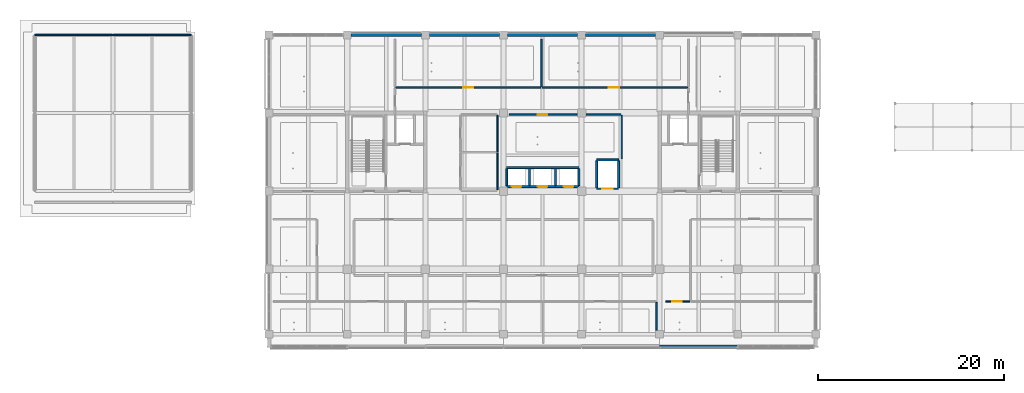
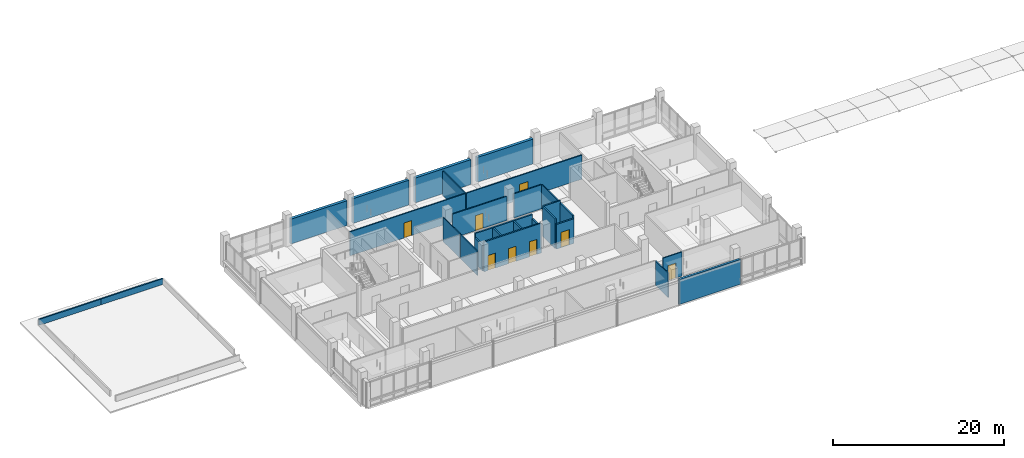
# One storey, part 13 of 39: 27 walls, 8 doors, 8 openings.
"""IFC4 building model written with IfcOpenShell, lengths in metres."""

from ifc_helpers import new_model, si_unit, direction, frame, frame_2d, origin, place, context, subcontext, project, spatial, rectangle, extrude, material, layer, layer_set, type_object, element, fill, save


model = new_model("IFC4")

# Units and contexts
model_context = context("Model", 3, precision=1e-05, world=origin(), true_north=direction((0.0, 1.0)))
body_context = subcontext(model_context, "Body", "Model", "MODEL_VIEW")
ifc_project = project(units=[si_unit("LENGTHUNIT", "METRE"), si_unit("AREAUNIT", "SQUARE_METRE"), si_unit("VOLUMEUNIT", "CUBIC_METRE"), si_unit("PLANEANGLEUNIT", "RADIAN"), si_unit("MASSUNIT", "GRAM", prefix="KILO")], contexts=[model_context])

# Site, building, storey
site_placement = place(None, origin())
site = spatial("IfcSite", under=ifc_project, at=site_placement, CompositionType="ELEMENT")
building_placement = place(site_placement, origin())
building = spatial("IfcBuilding", under=site, at=building_placement, Name="Telukmera Botanical Conservatory", CompositionType="ELEMENT")
storey_placement = place(building_placement, frame((0.0, 0.0, 19.5)))
storey = spatial("IfcBuildingStorey", under=building, at=storey_placement, Name="L04", CompositionType="ELEMENT", Elevation=19.5)

# Walls
ifc_material_1 = material(Name="Terracotta-faced precast concrete C40/50", Category="masonry")
ifc_layer_1 = layer(ifc_material_1, 0.3798828125)
ifc_layer_set_1 = layer_set([ifc_layer_1], Name="Terracotta-faced precast concrete C40/50")
wall_type_1 = type_object("IfcWallType", Name="Exterior Herbarium Vault Insulated Precast Wall 380", PredefinedType="SOLIDWALL", material=ifc_layer_set_1)
wall_1_placement = place(storey_placement, frame((59.22705078125, 42.800048828125, 0.0), z_axis=(0.0, 0.0, 1.0), x_axis=(1.0, 0.0, 0.0)))
element("IfcWall", 1, at=wall_1_placement, inside=storey, type_object=wall_type_1, Name="Exterior Precast Wall EW04 V4:L04:N2", PredefinedType="SOLIDWALL", context=body_context, shape_type="SweptSolid", body=[
    extrude(rectangle(XDim=7.5458984375, YDim=0.3798828125, at=frame_2d((3.77294921875, 0.0))), origin(), (0.0, 0.0, 1.0), 3.550048828125),
])
wall_2_placement = place(storey_placement, frame((67.626953125, 42.800048828125, 0.0), z_axis=(0.0, 0.0, 1.0), x_axis=(1.0, 0.0, 0.0)))
element("IfcWall", 2, at=wall_2_placement, inside=storey, type_object=wall_type_1, Name="Exterior Precast Wall EW04 V4:L04:N3", PredefinedType="SOLIDWALL", context=body_context, shape_type="SweptSolid", body=[
    extrude(rectangle(XDim=7.546142578125, YDim=0.3798828125, at=frame_2d((3.77294921875, 0.0))), origin(), (0.0, 0.0, 1.0), 3.550048828125),
])
for number, where, z_axis, x_axis, name in (
    (3, (76.027099609375, 42.800048828125, 0.0), (0.0, 0.0, 1.0), (1.0, 0.0, 0.0), "Exterior Precast Wall EW04 V4:L04:N4"),
    (4, (84.427001953125, 42.800048828125, 0.0), (0.0, 0.0, 1.0), (1.0, 0.0, 0.0), "Exterior Precast Wall EW04 V4:L04:N5"),
):
    element("IfcWall", number, at=place(storey_placement, frame(where, z_axis=z_axis, x_axis=x_axis)), inside=storey, type_object=wall_type_1, Name=name, PredefinedType="SOLIDWALL", context=body_context, shape_type="SweptSolid", body=[
        extrude(rectangle(XDim=7.5458984375, YDim=0.3798828125, at=frame_2d((3.77294921875, 0.0))), origin(), (0.0, 0.0, 1.0), 3.550048828125),
    ])
ifc_layer_2 = layer(ifc_material_1, 0.300048828125)
ifc_layer_set_2 = layer_set([ifc_layer_2], Name="Terracotta-faced precast concrete C40/50")
wall_type_2 = type_object("IfcWallType", Name="Exterior Polychrome Terracotta Precast Wall 300", PredefinedType="SOLIDWALL", material=ifc_layer_set_2)
wall_3_placement = place(storey_placement, frame((92.402099609375, 9.320068359375, 0.0), z_axis=(0.0, 0.0, 1.0), x_axis=(1.0, 0.0, 0.0)))
element("IfcWall", 5, at=wall_3_placement, inside=storey, type_object=wall_type_2, Name="Exterior Precast Wall EW02 V4:L04:S6", PredefinedType="SOLIDWALL", context=body_context, shape_type="SweptSolid", body=[
    extrude(rectangle(XDim=8.39599609375, YDim=0.300048828125, at=frame_2d((4.197998046875, 0.0))), origin(), (0.0, 0.0, 1.0), 3.550048828125),
])
ifc_layer_3 = layer(ifc_material_1, 0.179931640625)
ifc_layer_set_3 = layer_set([ifc_layer_3], Name="Terracotta-faced precast concrete C40/50")
wall_type_3 = type_object("IfcWallType", Name="Postmodern Polychrome Podium Parapet Wall 180", PredefinedType="PARAPET", material=ifc_layer_set_3)
for number, where, z_axis, x_axis, name in (
    (6, (25.201904296875, 42.800048828125, 0.2099609375), (0.0, 0.0, 1.0), (1.0, 0.0, 0.0), "Stepped Roof Parapet PW02 V3:L04:N 1"),
    (7, (33.60205078125, 42.800048828125, 0.2099609375), (0.0, 0.0, 1.0), (1.0, 0.0, 0.0), "Stepped Roof Parapet PW02 V3:L04:N 2"),
):
    element("IfcWall", number, at=place(storey_placement, frame(where, z_axis=z_axis, x_axis=x_axis)), inside=storey, type_object=wall_type_3, Name=name, PredefinedType="PARAPET", context=body_context, shape_type="SweptSolid", body=[
        extrude(rectangle(XDim=8.39599609375, YDim=0.179931640625, at=frame_2d((4.197998046875, 0.0))), origin(), (0.0, 0.0, 1.0), 0.840087890625),
    ])

# Wall, openings, doors
ifc_material_2 = material(Name="Concrete C40/50", Category="concrete")
ifc_layer_4 = layer(ifc_material_2, 0.199951171875)
ifc_layer_set_4 = layer_set([ifc_layer_4], Name="Concrete C40/50")
wall_type_4 = type_object("IfcWallType", Name="WT-CORE-200", PredefinedType="SOLIDWALL", material=ifc_layer_set_4)
wall_4_placement = place(storey_placement, frame((75.949951171875, 26.47998046875, 0.0), z_axis=(0.0, 0.0, 1.0), x_axis=(1.0, 0.0, 0.0)))
wall_4 = element("IfcWall", 8, at=wall_4_placement, inside=storey, type_object=wall_type_4, Name="L04 Passenger Lift Bank Front Wall", PredefinedType="SOLIDWALL", context=body_context, shape_type="SweptSolid", body=[
    extrude(rectangle(XDim=7.77001953125, YDim=0.199951171875, at=frame_2d((3.885009765625, 0.0))), origin(), (0.0, 0.0, 1.0), 4.25),
])
opening_1_placement = place(wall_4_placement, frame((0.550048828125, 0.0, 0.0)))
opening_1 = element("IfcOpeningElement", 9, at=opening_1_placement, cuts=wall_4, Name="Opening LD03", PredefinedType="OPENING", context=body_context, shape_type="SweptSolid", body=[
    extrude(rectangle(XDim=1.0, YDim=2.14990234375, at=frame_2d((0.5, 1.074951171875))), frame((0.0, 0.10986328125, 0.0), z_axis=(0.0, -1.0, 0.0), x_axis=(1.0, 0.0, 0.0)), (0.0, 0.0, 1.0), 0.219970703125),
])
opening_2_placement = place(wall_4_placement, frame((3.35009765625, 0.0, 0.0)))
opening_2 = element("IfcOpeningElement", 10, at=opening_2_placement, cuts=wall_4, Name="Opening LD03", PredefinedType="OPENING", context=body_context, shape_type="SweptSolid", body=[
    extrude(rectangle(XDim=1.0, YDim=2.14990234375, at=frame_2d((0.5, 1.074951171875))), frame((0.0, 0.10986328125, 0.0), z_axis=(0.0, -1.0, 0.0), x_axis=(1.0, 0.0, 0.0)), (0.0, 0.0, 1.0), 0.219970703125),
])
opening_3_placement = place(wall_4_placement, frame((6.14990234375, 0.0, 0.0)))
opening_3 = element("IfcOpeningElement", 11, at=opening_3_placement, cuts=wall_4, Name="Opening LD03", PredefinedType="OPENING", context=body_context, shape_type="SweptSolid", body=[
    extrude(rectangle(XDim=1.0, YDim=2.14990234375, at=frame_2d((0.5, 1.074951171875))), frame((0.0, 0.10986328125, 0.0), z_axis=(0.0, -1.0, 0.0), x_axis=(1.0, 0.0, 0.0)), (0.0, 0.0, 1.0), 0.219970703125),
])
ifc_material_3 = material(Name="Stainless steel 316", Category="steel")
door_type_1 = type_object("IfcDoorType", Name="DT-LD03", OperationType="SLIDING_TO_LEFT", PredefinedType="DOOR", material=ifc_material_3)
door_1_placement = place(opening_1_placement, frame((1.0, 0.0, 0.0), z_axis=(0.0, 0.0, 1.0), x_axis=(-1.0, 0.0, 0.0)))
door_1 = element("IfcDoor", 12, at=door_1_placement, inside=storey, type_object=door_type_1, Name="L04 Lift Landing Door PL1", OperationType="SLIDING_TO_LEFT", OverallHeight=2.14990234375, OverallWidth=1.0, PredefinedType="DOOR", context=body_context, shape_type="SweptSolid", body=[
    extrude(rectangle(XDim=1.0, YDim=2.14990234375, at=frame_2d((0.5, 1.074951171875))), frame((0.0, 0.02490234375, 0.0), z_axis=(0.0, -1.0, 0.0), x_axis=(1.0, 0.0, 0.0)), (0.0, 0.0, 1.0), 0.050048828125),
])
fill(opening_1, door_1)
door_2_placement = place(opening_2_placement, frame((1.0, 0.0, 0.0), z_axis=(0.0, 0.0, 1.0), x_axis=(-1.0, 0.0, 0.0)))
door_2 = element("IfcDoor", 13, at=door_2_placement, inside=storey, type_object=door_type_1, Name="L04 Lift Landing Door PL2", OperationType="SLIDING_TO_LEFT", OverallHeight=2.14990234375, OverallWidth=1.0, PredefinedType="DOOR", context=body_context, shape_type="SweptSolid", body=[
    extrude(rectangle(XDim=1.0, YDim=2.14990234375, at=frame_2d((0.5, 1.074951171875))), frame((0.0, 0.02490234375, 0.0), z_axis=(0.0, -1.0, 0.0), x_axis=(1.0, 0.0, 0.0)), (0.0, 0.0, 1.0), 0.050048828125),
])
fill(opening_2, door_2)
door_3_placement = place(opening_3_placement, frame((1.0, 0.0, 0.0), z_axis=(0.0, 0.0, 1.0), x_axis=(-1.0, 0.0, 0.0)))
door_3 = element("IfcDoor", 14, at=door_3_placement, inside=storey, type_object=door_type_1, Name="L04 Lift Landing Door PL3", OperationType="SLIDING_TO_LEFT", OverallHeight=2.14990234375, OverallWidth=1.0, PredefinedType="DOOR", context=body_context, shape_type="SweptSolid", body=[
    extrude(rectangle(XDim=1.0, YDim=2.14990234375, at=frame_2d((0.5, 1.074951171875))), frame((0.0, 0.02490234375, 0.0), z_axis=(0.0, -1.0, 0.0), x_axis=(1.0, 0.0, 0.0)), (0.0, 0.0, 1.0), 0.050048828125),
])
fill(opening_3, door_3)

# Walls
wall_5_placement = place(storey_placement, frame((75.949951171875, 28.52001953125, 0.0), z_axis=(0.0, 0.0, 1.0), x_axis=(1.0, 0.0, 0.0)))
element("IfcWall", 15, at=wall_5_placement, inside=storey, type_object=wall_type_4, Name="L04 Passenger Lift Bank Rear Wall", PredefinedType="SOLIDWALL", context=body_context, shape_type="SweptSolid", body=[
    extrude(rectangle(XDim=7.77001953125, YDim=0.199951171875, at=frame_2d((3.885009765625, 0.0))), origin(), (0.0, 0.0, 1.0), 4.25),
])
wall_6_placement = place(storey_placement, frame((75.949951171875, 26.580078125, 0.0), z_axis=(0.0, 0.0, 1.0), x_axis=(0.0, 1.0, 0.0)))
element("IfcWall", 16, at=wall_6_placement, inside=storey, type_object=wall_type_4, Name="L04 Passenger Lift Shaft Wall 1", PredefinedType="SOLIDWALL", context=body_context, shape_type="SweptSolid", body=[
    extrude(rectangle(XDim=1.83984375, YDim=0.199951171875, at=frame_2d((0.919921875, 0.0))), origin(), (0.0, 0.0, 1.0), 3.679931640625),
])
for number, where, z_axis, x_axis, name in (
    (17, (78.39990234375, 26.580078125, 0.0), (0.0, 0.0, 1.0), (0.0, 1.0, 0.0), "L04 Passenger Lift Shaft Wall 2"),
    (18, (81.199951171875, 26.580078125, 0.0), (0.0, 0.0, 1.0), (0.0, 1.0, 0.0), "L04 Passenger Lift Shaft Wall 3"),
):
    element("IfcWall", number, at=place(storey_placement, frame(where, z_axis=z_axis, x_axis=x_axis)), inside=storey, type_object=wall_type_4, Name=name, PredefinedType="SOLIDWALL", context=body_context, shape_type="SweptSolid", body=[
        extrude(rectangle(XDim=1.83984375, YDim=0.199951171875, at=frame_2d((0.919921875, 0.0))), origin(), (0.0, 0.0, 1.0), 4.25),
    ])
wall_7_placement = place(storey_placement, frame((83.719970703125, 26.580078125, 0.0), z_axis=(0.0, 0.0, 1.0), x_axis=(0.0, 1.0, 0.0)))
element("IfcWall", 19, at=wall_7_placement, inside=storey, type_object=wall_type_4, Name="L04 Passenger Lift Shaft Wall 4", PredefinedType="SOLIDWALL", context=body_context, shape_type="SweptSolid", body=[
    extrude(rectangle(XDim=1.83984375, YDim=0.199951171875, at=frame_2d((0.919921875, 0.0))), origin(), (0.0, 0.0, 1.0), 3.679931640625),
])

# Wall, opening, door
wall_8_placement = place(storey_placement, frame((85.6201171875, 26.25, 0.0), z_axis=(0.0, 0.0, 1.0), x_axis=(1.0, 0.0, 0.0)))
wall_8 = element("IfcWall", 20, at=wall_8_placement, inside=storey, type_object=wall_type_4, Name="L04 Goods Lift GL1 Front Wall", PredefinedType="SOLIDWALL", context=body_context, shape_type="SweptSolid", body=[
    extrude(rectangle(XDim=2.35986328125, YDim=0.199951171875, at=frame_2d((1.179931640625, 0.0))), origin(), (0.0, 0.0, 1.0), 3.530029296875),
])
opening_4_placement = place(wall_8_placement, frame((0.60498046875, 0.0, 0.0)))
opening_4 = element("IfcOpeningElement", 21, at=opening_4_placement, cuts=wall_8, Name="Opening LD02", PredefinedType="OPENING", context=body_context, shape_type="SweptSolid", body=[
    extrude(rectangle(XDim=1.14990234375, YDim=2.199951171875, at=frame_2d((0.574951171875, 1.10009765625))), frame((0.0, 0.10986328125, 0.0), z_axis=(0.0, -1.0, 0.0), x_axis=(1.0, 0.0, 0.0)), (0.0, 0.0, 1.0), 0.219970703125),
])
door_type_2 = type_object("IfcDoorType", Name="DT-LD02", OperationType="SLIDING_TO_LEFT", PredefinedType="DOOR", material=ifc_material_3)
door_4_placement = place(opening_4_placement, frame((1.14990234375, 0.0, 0.0), z_axis=(0.0, 0.0, 1.0), x_axis=(-1.0, 0.0, 0.0)))
door_4 = element("IfcDoor", 22, at=door_4_placement, inside=storey, type_object=door_type_2, Name="L04 Lift Landing Door GL1", OperationType="SLIDING_TO_LEFT", OverallHeight=2.199951171875, OverallWidth=1.14990234375, PredefinedType="DOOR", context=body_context, shape_type="SweptSolid", body=[
    extrude(rectangle(XDim=1.14990234375, YDim=2.199951171875, at=frame_2d((0.574951171875, 1.10009765625))), frame((0.0, 0.02490234375, 0.0), z_axis=(0.0, -1.0, 0.0), x_axis=(1.0, 0.0, 0.0)), (0.0, 0.0, 1.0), 0.050048828125),
])
fill(opening_4, door_4)

# Walls
wall_9_placement = place(storey_placement, frame((85.6201171875, 29.35009765625, 0.0), z_axis=(0.0, 0.0, 1.0), x_axis=(1.0, 0.0, 0.0)))
element("IfcWall", 23, at=wall_9_placement, inside=storey, type_object=wall_type_4, Name="L04 Goods Lift GL1 Rear Wall", PredefinedType="SOLIDWALL", context=body_context, shape_type="SweptSolid", body=[
    extrude(rectangle(XDim=2.35986328125, YDim=0.199951171875, at=frame_2d((1.179931640625, 0.0))), origin(), (0.0, 0.0, 1.0), 4.25),
])
wall_10_placement = place(storey_placement, frame((85.6201171875, 26.35009765625, 0.0), z_axis=(0.0, 0.0, 1.0), x_axis=(0.0, 1.0, 0.0)))
element("IfcWall", 24, at=wall_10_placement, inside=storey, type_object=wall_type_4, Name="L04 Goods Lift GL1 Side Wall 1", PredefinedType="SOLIDWALL", context=body_context, shape_type="SweptSolid", body=[
    extrude(rectangle(XDim=2.89990234375, YDim=0.199951171875, at=frame_2d((1.449951171875, 0.0))), origin(), (0.0, 0.0, 1.0), 4.25),
])
wall_11_placement = place(storey_placement, frame((87.97998046875, 26.35009765625, 0.0), z_axis=(0.0, 0.0, 1.0), x_axis=(0.0, 1.0, 0.0)))
element("IfcWall", 25, at=wall_11_placement, inside=storey, type_object=wall_type_4, Name="L04 Goods Lift GL1 Side Wall 2", PredefinedType="SOLIDWALL", context=body_context, shape_type="SweptSolid", body=[
    extrude(rectangle(XDim=2.89990234375, YDim=0.199951171875, at=frame_2d((1.449951171875, 0.0))), origin(), (0.0, 0.0, 1.0), 3.929931640625),
])

# Wall, opening, door
ifc_material_4 = material(Name="Gypsum acoustic stud partition")
ifc_layer_5 = layer(ifc_material_4, 0.159912109375)
ifc_layer_set_5 = layer_set([ifc_layer_5], Name="Gypsum acoustic stud partition")
wall_type_5 = type_object("IfcWallType", Name="WT-LAB-160", PredefinedType="PARTITIONING", material=ifc_layer_set_5)
wall_12_placement = place(storey_placement, frame((79.75, 37.125, 0.0), z_axis=(0.0, 0.0, 1.0), x_axis=(1.0, 0.0, 0.0)))
wall_12 = element("IfcWall", 26, at=wall_12_placement, inside=storey, type_object=wall_type_5, Name="L04 Interior Partition 29", PredefinedType="PARTITIONING", context=body_context, shape_type="SweptSolid", body=[
    extrude(rectangle(XDim=15.64990234375, YDim=0.159912109375, at=frame_2d((7.824951171875, 0.0))), origin(), (0.0, 0.0, 1.0), 3.449951171875),
])
opening_5_placement = place(wall_12_placement, frame((7.1796875, 0.0, 0.0)))
opening_5 = element("IfcOpeningElement", 27, at=opening_5_placement, cuts=wall_12, Name="Opening ID10", PredefinedType="OPENING", context=body_context, shape_type="SweptSolid", body=[
    extrude(rectangle(XDim=1.139892578125, YDim=2.219970703125, at=frame_2d((0.56982421875, 1.10986328125))), frame((0.0, 0.08984375, 0.0), z_axis=(0.0, -1.0, 0.0), x_axis=(1.0, 0.0, 0.0)), (0.0, 0.0, 1.0), 0.179931640625),
])
ifc_material_5 = material(Name="Sealed steel herbarium door", Category="steel")
door_type_3 = type_object("IfcDoorType", Name="DT-HERB-114", OperationType="NOTDEFINED", PredefinedType="DOOR", material=ifc_material_5)
door_5_placement = place(opening_5_placement, origin())
door_5 = element("IfcDoor", 28, at=door_5_placement, inside=storey, type_object=door_type_3, Name="L04 Botanical Illustration Archive Door", OperationType="SINGLE_SWING_RIGHT", OverallHeight=2.219970703125, OverallWidth=1.139892578125, PredefinedType="DOOR", context=body_context, shape_type="SweptSolid", body=[
    extrude(rectangle(XDim=1.139892578125, YDim=2.219970703125, at=frame_2d((0.56982421875, 1.10986328125))), frame((0.0, 0.02490234375, 0.0), z_axis=(0.0, -1.0, 0.0), x_axis=(1.0, 0.0, 0.0)), (0.0, 0.0, 1.0), 0.050048828125),
])
fill(opening_5, door_5)

# Walls
wall_13_placement = place(storey_placement, frame((79.675048828125, 37.215087890625, 0.0), z_axis=(0.0, 0.0, 1.0), x_axis=(0.0, 1.0, 0.0)))
element("IfcWall", 29, at=wall_13_placement, inside=storey, type_object=wall_type_5, Name="L04 Interior Partition 32", PredefinedType="PARTITIONING", context=body_context, shape_type="SweptSolid", body=[
    extrude(rectangle(XDim=5.135009765625, YDim=0.159912109375, at=frame_2d((2.5673828125, 0.0))), origin(), (0.0, 0.0, 1.0), 3.449951171875),
])
ifc_layer_6 = layer(ifc_material_4, 0.14990234375)
ifc_layer_set_6 = layer_set([ifc_layer_6], Name="Gypsum acoustic stud partition")
wall_type_6 = type_object("IfcWallType", Name="WT-STD-150", PredefinedType="PARTITIONING", material=ifc_layer_set_6)
wall_14_placement = place(storey_placement, frame((88.324951171875, 29.449951171875, 0.0), z_axis=(0.0, 0.0, 1.0), x_axis=(0.0, 1.0, 0.0)))
element("IfcWall", 30, at=wall_14_placement, inside=storey, type_object=wall_type_6, Name="L04 Interior Partition 06", PredefinedType="PARTITIONING", context=body_context, shape_type="SweptSolid", body=[
    extrude(rectangle(XDim=4.699951171875, YDim=0.14990234375, at=frame_2d((2.35009765625, 0.0))), origin(), (0.0, 0.0, 1.0), 3.449951171875),
])

# Wall, opening, door
wall_15_placement = place(storey_placement, frame((76.199951171875, 34.22509765625, 0.0), z_axis=(0.0, 0.0, 1.0), x_axis=(1.0, 0.0, 0.0)))
wall_15 = element("IfcWall", 31, at=wall_15_placement, inside=storey, type_object=wall_type_6, Name="L04 Interior Partition 07", PredefinedType="PARTITIONING", context=body_context, shape_type="SweptSolid", body=[
    extrude(rectangle(XDim=7.320068359375, YDim=0.14990234375, at=frame_2d((3.66015625, 0.0))), origin(), (0.0, 0.0, 1.0), 3.449951171875),
])
opening_6_placement = place(wall_15_placement, frame((3.06591796875, 0.0, 0.0)))
opening_6 = element("IfcOpeningElement", 32, at=opening_6_placement, cuts=wall_15, Name="Opening ID13", PredefinedType="OPENING", context=body_context, shape_type="SweptSolid", body=[
    extrude(rectangle(XDim=1.0400390625, YDim=2.14990234375, at=frame_2d((0.52001953125, 1.074951171875))), frame((0.0, 0.0849609375, 0.0), z_axis=(0.0, -1.0, 0.0), x_axis=(1.0, 0.0, 0.0)), (0.0, 0.0, 1.0), 0.169921875),
])
ifc_material_6 = material(Name="Hardwood curation studio door", Category="wood")
door_type_4 = type_object("IfcDoorType", Name="DT-CUR-104", OperationType="NOTDEFINED", PredefinedType="DOOR", material=ifc_material_6)
door_6_placement = place(opening_6_placement, frame((1.0400390625, 0.0, 0.0), z_axis=(0.0, 0.0, 1.0), x_axis=(-1.0, 0.0, 0.0)))
door_6 = element("IfcDoor", 33, at=door_6_placement, inside=storey, type_object=door_type_4, Name="L04 Specimen Mounting Studio Door", OperationType="SINGLE_SWING_LEFT", OverallHeight=2.14990234375, OverallWidth=1.0400390625, PredefinedType="DOOR", context=body_context, shape_type="SweptSolid", body=[
    extrude(rectangle(XDim=1.0400390625, YDim=2.14990234375, at=frame_2d((0.52001953125, 1.074951171875))), frame((0.0, 0.02490234375, 0.0), z_axis=(0.0, -1.0, 0.0), x_axis=(1.0, 0.0, 0.0)), (0.0, 0.0, 1.0), 0.050048828125),
])
fill(opening_6, door_6)

# Wall
wall_16_placement = place(storey_placement, frame((84.47998046875, 34.22509765625, 0.0), z_axis=(0.0, 0.0, 1.0), x_axis=(1.0, 0.0, 0.0)))
element("IfcWall", 34, at=wall_16_placement, inside=storey, type_object=wall_type_6, Name="L04 Interior Partition 08", PredefinedType="PARTITIONING", context=body_context, shape_type="SweptSolid", body=[
    extrude(rectangle(XDim=3.760009765625, YDim=0.14990234375, at=frame_2d((1.8798828125, 0.0))), origin(), (0.0, 0.0, 1.0), 3.449951171875),
])

# Wall, opening, door
wall_17_placement = place(storey_placement, frame((93.050048828125, 14.125, 0.0), z_axis=(0.0, 0.0, 1.0), x_axis=(1.0, 0.0, 0.0)))
wall_17 = element("IfcWall", 35, at=wall_17_placement, inside=storey, type_object=wall_type_6, Name="L04 Interior Partition 18", PredefinedType="PARTITIONING", context=body_context, shape_type="SweptSolid", body=[
    extrude(rectangle(XDim=2.58984375, YDim=0.14990234375, at=frame_2d((1.294921875, 0.0))), origin(), (0.0, 0.0, 1.0), 3.449951171875),
])
opening_7_placement = place(wall_17_placement, frame((0.699951171875, 0.0, 0.0)))
opening_7 = element("IfcOpeningElement", 36, at=opening_7_placement, cuts=wall_17, Name="Opening ID13", PredefinedType="OPENING", context=body_context, shape_type="SweptSolid", body=[
    extrude(rectangle(XDim=1.0400390625, YDim=2.14990234375, at=frame_2d((0.52001953125, 1.074951171875))), frame((0.0, 0.0849609375, 0.0), z_axis=(0.0, -1.0, 0.0), x_axis=(1.0, 0.0, 0.0)), (0.0, 0.0, 1.0), 0.169921875),
])
door_7_placement = place(opening_7_placement, frame((1.0400390625, 0.0, 0.0), z_axis=(0.0, 0.0, 1.0), x_axis=(-1.0, 0.0, 0.0)))
door_7 = element("IfcDoor", 37, at=door_7_placement, inside=storey, type_object=door_type_4, Name="L04 Botanical Taxonomy Studio Door", OperationType="SINGLE_SWING_LEFT", OverallHeight=2.14990234375, OverallWidth=1.0400390625, PredefinedType="DOOR", context=body_context, shape_type="SweptSolid", body=[
    extrude(rectangle(XDim=1.0400390625, YDim=2.14990234375, at=frame_2d((0.52001953125, 1.074951171875))), frame((0.0, 0.02490234375, 0.0), z_axis=(0.0, -1.0, 0.0), x_axis=(1.0, 0.0, 0.0)), (0.0, 0.0, 1.0), 0.050048828125),
])
fill(opening_7, door_7)

# Wall
wall_18_placement = place(storey_placement, frame((92.074951171875, 11.054931640625, 0.0), z_axis=(0.0, 0.0, 1.0), x_axis=(0.0, 1.0, 0.0)))
element("IfcWall", 38, at=wall_18_placement, inside=storey, type_object=wall_type_6, Name="L04 Interior Partition 26", PredefinedType="PARTITIONING", context=body_context, shape_type="SweptSolid", body=[
    extrude(rectangle(XDim=2.985107421875, YDim=0.14990234375, at=frame_2d((1.49267578125, 0.0))), origin(), (0.0, 0.0, 1.0), 3.449951171875),
])

# Wall, opening, door
wall_19_placement = place(storey_placement, frame((64.010009765625, 37.125, 0.0), z_axis=(0.0, 0.0, 1.0), x_axis=(1.0, 0.0, 0.0)))
wall_19 = element("IfcWall", 39, at=wall_19_placement, inside=storey, type_object=wall_type_6, Name="L04 Interior Partition 28", PredefinedType="PARTITIONING", context=body_context, shape_type="SweptSolid", body=[
    extrude(rectangle(XDim=15.590087890625, YDim=0.14990234375, at=frame_2d((7.794921875, 0.0))), origin(), (0.0, 0.0, 1.0), 3.449951171875),
])
opening_8_placement = place(wall_19_placement, frame((7.27490234375, 0.0, 0.0)))
opening_8 = element("IfcOpeningElement", 40, at=opening_8_placement, cuts=wall_19, Name="Opening ID13", PredefinedType="OPENING", context=body_context, shape_type="SweptSolid", body=[
    extrude(rectangle(XDim=1.0400390625, YDim=2.14990234375, at=frame_2d((0.52001953125, 1.074951171875))), frame((0.0, 0.0849609375, 0.0), z_axis=(0.0, -1.0, 0.0), x_axis=(1.0, 0.0, 0.0)), (0.0, 0.0, 1.0), 0.169921875),
])
door_8_placement = place(opening_8_placement, origin())
door_8 = element("IfcDoor", 41, at=door_8_placement, inside=storey, type_object=door_type_4, Name="L04 Angiosperm Systematics Studio Door", OperationType="SINGLE_SWING_LEFT", OverallHeight=2.14990234375, OverallWidth=1.0400390625, PredefinedType="DOOR", context=body_context, shape_type="SweptSolid", body=[
    extrude(rectangle(XDim=1.0400390625, YDim=2.14990234375, at=frame_2d((0.52001953125, 1.074951171875))), frame((0.0, 0.02490234375, 0.0), z_axis=(0.0, -1.0, 0.0), x_axis=(1.0, 0.0, 0.0)), (0.0, 0.0, 1.0), 0.050048828125),
])
fill(opening_8, door_8)

# Walls
ifc_material_7 = material(Name="Moisture-resistant blockwork", Category="masonry")
ifc_layer_7 = layer(ifc_material_7, 0.135009765625)
ifc_layer_set_7 = layer_set([ifc_layer_7], Name="Moisture-resistant blockwork")
wall_type_7 = type_object("IfcWallType", Name="WT-WC-135", PredefinedType="PARTITIONING", material=ifc_layer_set_7)
wall_20_placement = place(storey_placement, frame((74.967529296875, 26.14990234375, 0.0), z_axis=(0.0, 0.0, 1.0), x_axis=(0.0, 1.0, 0.0)))
element("IfcWall", 42, at=wall_20_placement, inside=storey, type_object=wall_type_7, Name="L04 WC Enclosure Partition 01", PredefinedType="PARTITIONING", context=body_context, shape_type="SweptSolid", body=[
    extrude(rectangle(XDim=3.947509765625, YDim=0.135009765625, at=frame_2d((1.9736328125, 0.0))), origin(), (0.0, 0.0, 1.0), 3.449951171875),
])
wall_21_placement = place(storey_placement, frame((74.967529296875, 30.25244140625, 0.0), z_axis=(0.0, 0.0, 1.0), x_axis=(0.0, 1.0, 0.0)))
element("IfcWall", 43, at=wall_21_placement, inside=storey, type_object=wall_type_7, Name="L04 WC Enclosure Partition 02", PredefinedType="PARTITIONING", context=body_context, shape_type="SweptSolid", body=[
    extrude(rectangle(XDim=3.89501953125, YDim=0.135009765625, at=frame_2d((1.947509765625, 0.0))), origin(), (0.0, 0.0, 1.0), 3.449951171875),
])

save(model, "model.ifc")
